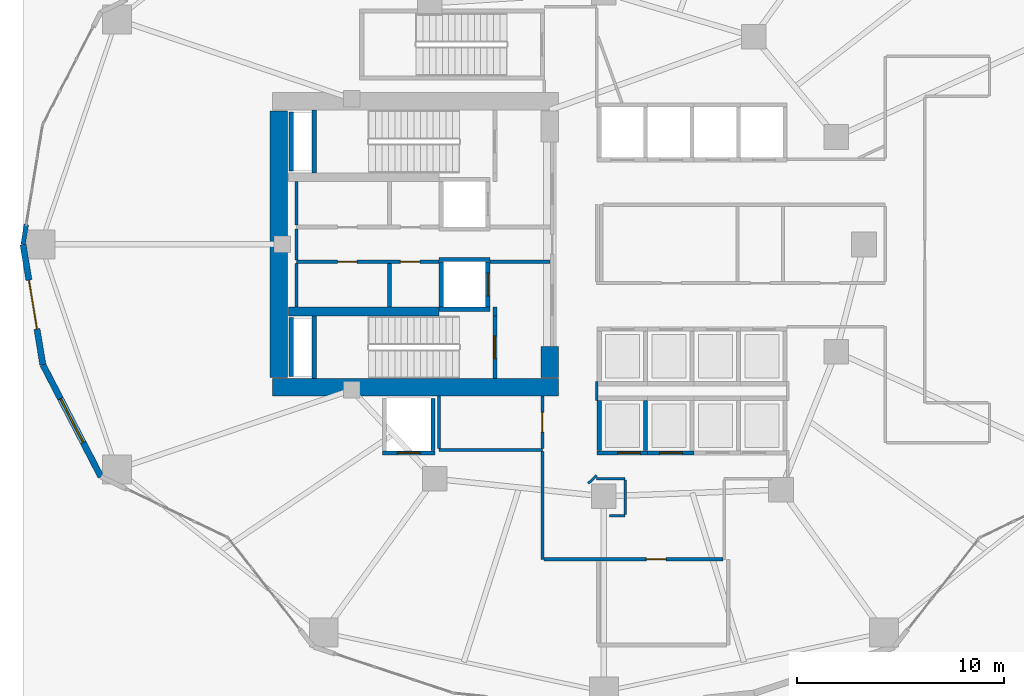
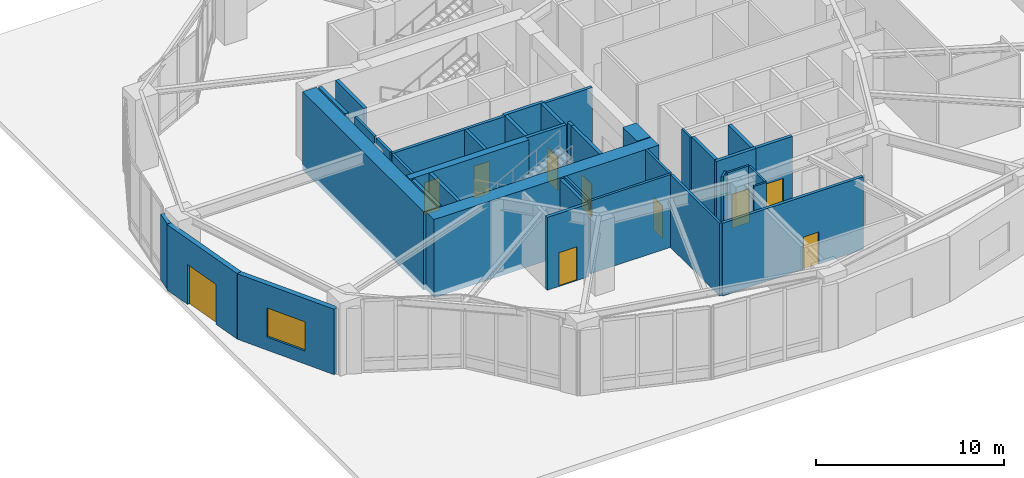
# One storey, part 11 of 23: 39 walls, 10 doors, 1 window, 11 openings.
"""IFC4 building model written with IfcOpenShell, lengths in metres."""

from ifc_helpers import new_model, si_unit, direction, frame, frame_2d, origin, place, context, subcontext, project, spatial, rectangle, extrude, material, layer, layer_set, type_object, element, fill, save


model = new_model("IFC4")

# Units and contexts
model_context = context("Model", 3, precision=1e-05, world=origin(), true_north=direction((0.0, 1.0)))
body_context = subcontext(model_context, "Body", "Model", "MODEL_VIEW")
ifc_project = project(units=[si_unit("LENGTHUNIT", "METRE"), si_unit("AREAUNIT", "SQUARE_METRE"), si_unit("VOLUMEUNIT", "CUBIC_METRE"), si_unit("PLANEANGLEUNIT", "RADIAN"), si_unit("MASSUNIT", "GRAM", prefix="KILO")], contexts=[model_context])

# Site, building, storey
site_placement = place(None, origin())
site = spatial("IfcSite", under=ifc_project, at=site_placement, CompositionType="ELEMENT")
building_placement = place(site_placement, origin())
building = spatial("IfcBuilding", under=site, at=building_placement, Name="Kolvaren Gate Tower and Convention Centre", CompositionType="ELEMENT")
storey_placement = place(building_placement, origin())
storey = spatial("IfcBuildingStorey", under=building, at=storey_placement, Name="L00", CompositionType="ELEMENT", Elevation=0.0)

# Wall
ifc_material_1 = material(Name="Autoclaved Aerated Masonry Blockwork Class 4 (4.0 MPa)", Category="masonry")
ifc_layer_1 = layer(ifc_material_1, 0.179931640625)
ifc_layer_set_1 = layer_set([ifc_layer_1], Name="Autoclaved Aerated Masonry Blockwork Class 4 (4.0 MPa)")
wall_type_1 = type_object("IfcWallType", Name="ARCH-WL-COMP-180", PredefinedType="SOLIDWALL", material=ifc_layer_set_1)
wall_1_placement = place(storey_placement, frame((24.85009765625, 23.5400390625, 0.0), z_axis=(0.0, 0.0, 1.0), x_axis=(0.0, 1.0, 0.0)))
element("IfcWall", 1, at=wall_1_placement, inside=storey, type_object=wall_type_1, Name="Interior Partition WL-L00-INT-001", PredefinedType="SOLIDWALL", context=body_context, shape_type="SweptSolid", body=[
    extrude(rectangle(XDim=0.419921875, YDim=0.179931640625, at=frame_2d((0.2099609375, 0.0))), origin(), (0.0, 0.0, 1.0), 4.739990234375),
])

# Wall, openings, doors
wall_2_placement = place(storey_placement, frame((15.25, 26.159912109375, 0.0), z_axis=(0.0, 0.0, 1.0), x_axis=(1.0, 0.0, 0.0)))
wall_2 = element("IfcWall", 2, at=wall_2_placement, inside=storey, type_object=wall_type_1, Name="Interior Partition WL-L00-INT-005", PredefinedType="SOLIDWALL", context=body_context, shape_type="SweptSolid", body=[
    extrude(rectangle(XDim=6.89990234375, YDim=0.179931640625, at=frame_2d((3.449951171875, 0.0))), origin(), (0.0, 0.0, 1.0), 4.739990234375),
])
opening_1_placement = place(wall_2_placement, frame((5.02001953125, 0.0, 0.0)))
opening_1 = element("IfcOpeningElement", 3, at=opening_1_placement, cuts=wall_2, Name="Opening DR-01", PredefinedType="OPENING", context=body_context, shape_type="SweptSolid", body=[
    extrude(rectangle(XDim=0.949951171875, YDim=2.10009765625, at=frame_2d((0.47509765625, 1.050048828125))), frame((0.0, 0.099853515625, 0.0), z_axis=(0.0, -1.0, 0.0), x_axis=(1.0, 0.0, 0.0)), (0.0, 0.0, 1.0), 0.199951171875),
])
opening_2_placement = place(wall_2_placement, frame((1.97998046875, 0.0, 0.0)))
opening_2 = element("IfcOpeningElement", 4, at=opening_2_placement, cuts=wall_2, Name="Opening DR-01", PredefinedType="OPENING", context=body_context, shape_type="SweptSolid", body=[
    extrude(rectangle(XDim=0.949951171875, YDim=2.10009765625, at=frame_2d((0.47509765625, 1.050048828125))), frame((0.0, 0.099853515625, 0.0), z_axis=(0.0, -1.0, 0.0), x_axis=(1.0, 0.0, 0.0)), (0.0, 0.0, 1.0), 0.199951171875),
])
ifc_material_2 = material(Name="Painted Architectural Steelwork ASTM A500 Grade C 345 MPa", Category="steel")
door_type_1 = type_object("IfcDoorType", Name="ARCH-DR-RISER-950", OperationType="SINGLE_SWING_RIGHT", PredefinedType="DOOR", material=ifc_material_2)
door_1_placement = place(opening_1_placement, origin())
door_1 = element("IfcDoor", 5, at=door_1_placement, inside=storey, type_object=door_type_1, Name="Domestic Water Meter Closet Door", OperationType="SINGLE_SWING_LEFT", OverallHeight=2.10009765625, OverallWidth=0.949951171875, PredefinedType="DOOR", context=body_context, shape_type="SweptSolid", body=[
    extrude(rectangle(XDim=0.949951171875, YDim=2.10009765625, at=frame_2d((0.47509765625, 1.050048828125))), frame((0.0, 0.02490234375, 0.0), z_axis=(0.0, -1.0, 0.0), x_axis=(1.0, 0.0, 0.0)), (0.0, 0.0, 1.0), 0.050048828125),
])
fill(opening_1, door_1)
door_2_placement = place(opening_2_placement, origin())
door_2 = element("IfcDoor", 6, at=door_2_placement, inside=storey, type_object=door_type_1, Name="Janitor Equipment Store Door", OperationType="SINGLE_SWING_LEFT", OverallHeight=2.10009765625, OverallWidth=0.949951171875, PredefinedType="DOOR", context=body_context, shape_type="SweptSolid", body=[
    extrude(rectangle(XDim=0.949951171875, YDim=2.10009765625, at=frame_2d((0.47509765625, 1.050048828125))), frame((0.0, 0.02490234375, 0.0), z_axis=(0.0, -1.0, 0.0), x_axis=(1.0, 0.0, 0.0)), (0.0, 0.0, 1.0), 0.050048828125),
])
fill(opening_2, door_2)

# Walls
wall_3_placement = place(storey_placement, frame((24.60009765625, 26.159912109375, 0.0), z_axis=(0.0, 0.0, 1.0), x_axis=(1.0, 0.0, 0.0)))
element("IfcWall", 7, at=wall_3_placement, inside=storey, type_object=wall_type_1, Name="Interior Partition WL-L00-INT-005 (2)", PredefinedType="SOLIDWALL", context=body_context, shape_type="SweptSolid", body=[
    extrude(rectangle(XDim=2.927978515625, YDim=0.179931640625, at=frame_2d((1.4638671875, 0.0))), origin(), (0.0, 0.0, 1.0), 4.739990234375),
])
wall_4_placement = place(storey_placement, frame((19.75, 23.9619140625, 0.0), z_axis=(0.0, 0.0, 1.0), x_axis=(0.0, 1.0, 0.0)))
element("IfcWall", 8, at=wall_4_placement, inside=storey, type_object=wall_type_1, Name="Interior Partition WL-L00-INT-007", PredefinedType="SOLIDWALL", context=body_context, shape_type="SweptSolid", body=[
    extrude(rectangle(XDim=2.106201171875, YDim=0.179931640625, at=frame_2d((1.05322265625, 0.0))), origin(), (0.0, 0.0, 1.0), 4.739990234375),
])

# Wall, opening, door
wall_5_placement = place(storey_placement, frame((27.22705078125, 11.75, 0.0), z_axis=(0.0, 0.0, 1.0), x_axis=(1.0, 0.0, 0.0)))
wall_5 = element("IfcWall", 9, at=wall_5_placement, inside=storey, type_object=wall_type_1, Name="Interior Partition WL-L00-INT-020", PredefinedType="SOLIDWALL", context=body_context, shape_type="SweptSolid", body=[
    extrude(rectangle(XDim=8.660888671875, YDim=0.179931640625, at=frame_2d((4.33056640625, 0.0))), origin(), (0.0, 0.0, 1.0), 4.739990234375),
])
opening_3_placement = place(wall_5_placement, frame((4.9619140625, 0.0, 0.0)))
opening_3 = element("IfcOpeningElement", 10, at=opening_3_placement, cuts=wall_5, Name="Opening DR-01", PredefinedType="OPENING", context=body_context, shape_type="SweptSolid", body=[
    extrude(rectangle(XDim=0.949951171875, YDim=2.10009765625, at=frame_2d((0.47509765625, 1.050048828125))), frame((0.0, 0.099853515625, 0.0), z_axis=(0.0, -1.0, 0.0), x_axis=(1.0, 0.0, 0.0)), (0.0, 0.0, 1.0), 0.199951171875),
])
door_3_placement = place(opening_3_placement, origin())
door_3 = element("IfcDoor", 11, at=door_3_placement, inside=storey, type_object=door_type_1, Name="Fire Command Centre Door", OperationType="SINGLE_SWING_LEFT", OverallHeight=2.10009765625, OverallWidth=0.949951171875, PredefinedType="DOOR", context=body_context, shape_type="SweptSolid", body=[
    extrude(rectangle(XDim=0.949951171875, YDim=2.10009765625, at=frame_2d((0.47509765625, 1.050048828125))), frame((0.0, 0.02490234375, 0.0), z_axis=(0.0, -1.0, 0.0), x_axis=(1.0, 0.0, 0.0)), (0.0, 0.0, 1.0), 0.050048828125),
])
fill(opening_3, door_3)

# Walls
ifc_material_3 = material(Name="Fire-Rated Acoustic Gypsum Stud Partition", Category="gypsum")
ifc_layer_2 = layer(ifc_material_3, 0.1201171875)
ifc_layer_set_2 = layer_set([ifc_layer_2], Name="Fire-Rated Acoustic Gypsum Stud Partition")
wall_type_2 = type_object("IfcWallType", Name="ARCH-WL-PART-120", PredefinedType="PARTITIONING", material=ifc_layer_set_2)
wall_6_placement = place(storey_placement, frame((29.780029296875, 15.64990234375, 0.0), z_axis=(0.0, 0.0, 1.0), x_axis=(1.0, 0.0, 0.0)))
element("IfcWall", 12, at=wall_6_placement, inside=storey, type_object=wall_type_2, Name="Interior Partition WL-L00-INT-017", PredefinedType="PARTITIONING", context=body_context, shape_type="SweptSolid", body=[
    extrude(rectangle(XDim=1.369873046875, YDim=0.1201171875, at=frame_2d((0.68505859375, 0.0))), origin(), (0.0, 0.0, 1.0), 4.739990234375),
])
wall_7_placement = place(storey_placement, frame((29.780029296875, 19.43994140625, 0.0), z_axis=(0.0, 0.0, 1.0), x_axis=(0.0, 1.0, 0.0)))
element("IfcWall", 13, at=wall_7_placement, inside=storey, type_object=wall_type_2, Name="Interior Partition WL-L00-INT-023", PredefinedType="PARTITIONING", context=body_context, shape_type="SweptSolid", body=[
    extrude(rectangle(XDim=0.920166015625, YDim=0.1201171875, at=frame_2d((0.4599609375, 0.0))), origin(), (0.0, 0.0, 1.0), 4.739990234375),
])
wall_8_placement = place(storey_placement, frame((29.366943359375, 15.422119140625, 0.0), z_axis=(0.0, 0.0, 1.0), x_axis=(0.730667420492, 0.682733564893, 0.0)))
element("IfcWall", 14, at=wall_8_placement, inside=storey, type_object=wall_type_2, Name="Interior Partition WL-L00-INT-040", PredefinedType="PARTITIONING", context=body_context, shape_type="SweptSolid", body=[
    extrude(rectangle(XDim=0.5654296875, YDim=0.1201171875, at=frame_2d((0.28271484375, 0.0))), origin(), (0.0, 0.0, 1.0), 4.739990234375),
])
wall_9_placement = place(storey_placement, frame((30.39111328125, 13.85009765625, 0.0), z_axis=(0.0, 0.0, 1.0), x_axis=(1.0, 0.0, 0.0)))
element("IfcWall", 15, at=wall_9_placement, inside=storey, type_object=wall_type_2, Name="Interior Partition WL-L00-INT-041", PredefinedType="PARTITIONING", context=body_context, shape_type="SweptSolid", body=[
    extrude(rectangle(XDim=0.7587890625, YDim=0.1201171875, at=frame_2d((0.37939453125, 0.0))), origin(), (0.0, 0.0, 1.0), 4.739990234375),
])
wall_10_placement = place(storey_placement, frame((31.14990234375, 13.912109375, 0.0), z_axis=(0.0, 0.0, 1.0), x_axis=(0.0, 1.0, 0.0)))
element("IfcWall", 16, at=wall_10_placement, inside=storey, type_object=wall_type_2, Name="Interior Partition WL-L00-INT-042", PredefinedType="PARTITIONING", context=body_context, shape_type="SweptSolid", body=[
    extrude(rectangle(XDim=1.67578125, YDim=0.1201171875, at=frame_2d((0.837890625, 0.0))), origin(), (0.0, 0.0, 1.0), 4.739990234375),
])
ifc_material_4 = material(Name="Bogota Sabana Bush-Hammered Sandstone Cladding", Category="masonry")
ifc_layer_3 = layer(ifc_material_4, 0.219970703125)
ifc_layer_set_3 = layer_set([ifc_layer_3], Name="Bogota Sabana Bush-Hammered Sandstone Cladding")
wall_type_3 = type_object("IfcWallType", Name="ARCH-WL-PIER-220", PredefinedType="SOLIDWALL", material=ifc_layer_set_3)
wall_11_placement = place(storey_placement, frame((2.0, 27.0, 0.0), z_axis=(0.0, 0.0, 1.0), x_axis=(0.162253212939, 0.986749154999, 0.0)))
element("IfcWall", 17, at=wall_11_placement, inside=storey, type_object=wall_type_3, Name="Tower L00 Unitised Curtain Wall CW-POD-GLZ Bay 11 Left Column Pier Wrap", PredefinedType="SOLIDWALL", context=body_context, shape_type="SweptSolid", body=[
    extrude(rectangle(XDim=0.97802734375, YDim=0.219970703125, at=frame_2d((0.489013671875, 0.0))), origin(), (0.0, 0.0, 1.0), 4.262939453125),
])
ifc_layer_4 = layer(ifc_material_1, 0.199951171875)
ifc_layer_set_4 = layer_set([ifc_layer_4], Name="Autoclaved Aerated Masonry Blockwork Class 4 (4.0 MPa)")
wall_type_4 = type_object("IfcWallType", Name="ARCH-WL-SHAFT-200", PredefinedType="SOLIDWALL", material=ifc_layer_set_4)
for number, where, z_axis, x_axis, name in (
    (18, (22.14990234375, 26.260009765625, 0.0), (0.0, 0.0, 1.0), (1.0, 0.0, 0.0), "Elevator FF-02 L00 Fire Shaft Wall N"),
    (19, (22.14990234375, 23.860107421875, 0.0), (0.0, 0.0, 1.0), (1.0, 0.0, 0.0), "Elevator FF-02 L00 Fire Shaft Wall S"),
):
    element("IfcWall", number, at=place(storey_placement, frame(where, z_axis=z_axis, x_axis=x_axis)), inside=storey, type_object=wall_type_4, Name=name, PredefinedType="SOLIDWALL", context=body_context, shape_type="SweptSolid", body=[
        extrude(rectangle(XDim=2.4501953125, YDim=0.199951171875, at=frame_2d((1.22509765625, 0.0))), origin(), (0.0, 0.0, 1.0), 4.739990234375),
    ])
wall_12_placement = place(storey_placement, frame((22.25, 23.969970703125, 0.0), z_axis=(0.0, 0.0, 1.0), x_axis=(0.0, 1.0, 0.0)))
element("IfcWall", 20, at=wall_12_placement, inside=storey, type_object=wall_type_4, Name="Elevator FF-02 L00 Fire Shaft Wall W", PredefinedType="SOLIDWALL", context=body_context, shape_type="SweptSolid", body=[
    extrude(rectangle(XDim=2.179931640625, YDim=0.199951171875, at=frame_2d((1.08984375, 0.0))), origin(), (0.0, 0.0, 1.0), 4.739990234375),
])

# Wall, opening, door
wall_13_placement = place(storey_placement, frame((24.5, 23.969970703125, 0.0), z_axis=(0.0, 0.0, 1.0), x_axis=(0.0, 1.0, 0.0)))
wall_13 = element("IfcWall", 21, at=wall_13_placement, inside=storey, type_object=wall_type_4, Name="Elevator FF-02 L00 Fire Shaft Wall E", PredefinedType="SOLIDWALL", context=body_context, shape_type="SweptSolid", body=[
    extrude(rectangle(XDim=2.179931640625, YDim=0.199951171875, at=frame_2d((1.08984375, 0.0))), origin(), (0.0, 0.0, 1.0), 4.739990234375),
])
opening_4_placement = place(wall_13_placement, frame((0.5400390625, 0.0, 0.0)))
opening_4 = element("IfcOpeningElement", 22, at=opening_4_placement, cuts=wall_13, Name="Opening LD", PredefinedType="OPENING", context=body_context, shape_type="SweptSolid", body=[
    extrude(rectangle(XDim=1.10009765625, YDim=2.199951171875, at=frame_2d((0.550048828125, 1.10009765625))), frame((0.0, 0.10986328125, 0.0), z_axis=(0.0, -1.0, 0.0), x_axis=(1.0, 0.0, 0.0)), (0.0, 0.0, 1.0), 0.219970703125),
])
ifc_material_5 = material(Name="Brushed Stainless Steel Grade 316L", Category="steel")
door_type_2 = type_object("IfcDoorType", Name="ARCH-DR-LIFT-1100", OperationType="SLIDING_TO_LEFT", PredefinedType="DOOR", material=ifc_material_5)
door_4_placement = place(opening_4_placement, origin())
door_4 = element("IfcDoor", 23, at=door_4_placement, inside=storey, type_object=door_type_2, Name="Elevator FF-02 L00 Sliding Landing Door", OperationType="SLIDING_TO_LEFT", OverallHeight=2.199951171875, OverallWidth=1.10009765625, PredefinedType="DOOR", context=body_context, shape_type="SweptSolid", body=[
    extrude(rectangle(XDim=1.10009765625, YDim=2.199951171875, at=frame_2d((0.550048828125, 1.10009765625))), frame((0.0, 0.02490234375, 0.0), z_axis=(0.0, -1.0, 0.0), x_axis=(1.0, 0.0, 0.0)), (0.0, 0.0, 1.0), 0.050048828125),
])
fill(opening_4, door_4)

wall_14_placement = place(storey_placement, frame((19.39990234375, 16.89990234375, 0.0), z_axis=(0.0, 0.0, 1.0), x_axis=(1.0, 0.0, 0.0)))
wall_14 = element("IfcWall", 24, at=wall_14_placement, inside=storey, type_object=wall_type_4, Name="Elevator SV-01 L00 Fire Shaft Wall S", PredefinedType="SOLIDWALL", context=body_context, shape_type="SweptSolid", body=[
    extrude(rectangle(XDim=2.550048828125, YDim=0.199951171875, at=frame_2d((1.27490234375, 0.0))), origin(), (0.0, 0.0, 1.0), 4.739990234375),
])
opening_5_placement = place(wall_14_placement, frame((0.72509765625, 0.0, 0.0)))
opening_5 = element("IfcOpeningElement", 25, at=opening_5_placement, cuts=wall_14, Name="Opening LD", PredefinedType="OPENING", context=body_context, shape_type="SweptSolid", body=[
    extrude(rectangle(XDim=1.10009765625, YDim=2.199951171875, at=frame_2d((0.550048828125, 1.10009765625))), frame((0.0, 0.10986328125, 0.0), z_axis=(0.0, -1.0, 0.0), x_axis=(1.0, 0.0, 0.0)), (0.0, 0.0, 1.0), 0.219970703125),
])
door_5_placement = place(opening_5_placement, origin())
door_5 = element("IfcDoor", 26, at=door_5_placement, inside=storey, type_object=door_type_2, Name="Elevator SV-01 L00 Sliding Landing Door", OperationType="SLIDING_TO_LEFT", OverallHeight=2.199951171875, OverallWidth=1.10009765625, PredefinedType="DOOR", context=body_context, shape_type="SweptSolid", body=[
    extrude(rectangle(XDim=1.10009765625, YDim=2.199951171875, at=frame_2d((0.550048828125, 1.10009765625))), frame((0.0, 0.02490234375, 0.0), z_axis=(0.0, -1.0, 0.0), x_axis=(1.0, 0.0, 0.0)), (0.0, 0.0, 1.0), 0.050048828125),
])
fill(opening_5, door_5)

# Wall
wall_15_placement = place(storey_placement, frame((21.85009765625, 17.010009765625, 0.0), z_axis=(0.0, 0.0, 1.0), x_axis=(0.0, 1.0, 0.0)))
element("IfcWall", 27, at=wall_15_placement, inside=storey, type_object=wall_type_4, Name="Elevator SV-01 L00 Fire Shaft Wall E", PredefinedType="SOLIDWALL", context=body_context, shape_type="SweptSolid", body=[
    extrude(rectangle(XDim=2.530029296875, YDim=0.199951171875, at=frame_2d((1.26513671875, 0.0))), origin(), (0.0, 0.0, 1.0), 4.739990234375),
])

# Wall, opening, door
wall_16_placement = place(storey_placement, frame((29.800048828125, 16.89990234375, 0.0), z_axis=(0.0, 0.0, 1.0), x_axis=(1.0, 0.0, 0.0)))
wall_16 = element("IfcWall", 28, at=wall_16_placement, inside=storey, type_object=wall_type_4, Name="Elevator PL-05 L00 Fire Shaft Wall S", PredefinedType="SOLIDWALL", context=body_context, shape_type="SweptSolid", body=[
    extrude(rectangle(XDim=2.449951171875, YDim=0.199951171875, at=frame_2d((1.22509765625, 0.0))), origin(), (0.0, 0.0, 1.0), 4.739990234375),
])
opening_6_placement = place(wall_16_placement, frame((0.9951171875, 0.0, 0.0)))
opening_6 = element("IfcOpeningElement", 29, at=opening_6_placement, cuts=wall_16, Name="Opening LD", PredefinedType="OPENING", context=body_context, shape_type="SweptSolid", body=[
    extrude(rectangle(XDim=1.10009765625, YDim=2.199951171875, at=frame_2d((0.550048828125, 1.10009765625))), frame((0.0, 0.10986328125, 0.0), z_axis=(0.0, -1.0, 0.0), x_axis=(1.0, 0.0, 0.0)), (0.0, 0.0, 1.0), 0.219970703125),
])
door_6_placement = place(opening_6_placement, origin())
door_6 = element("IfcDoor", 30, at=door_6_placement, inside=storey, type_object=door_type_2, Name="Elevator PL-05 L00 Sliding Landing Door", OperationType="SLIDING_TO_LEFT", OverallHeight=2.199951171875, OverallWidth=1.10009765625, PredefinedType="DOOR", context=body_context, shape_type="SweptSolid", body=[
    extrude(rectangle(XDim=1.10009765625, YDim=2.199951171875, at=frame_2d((0.550048828125, 1.10009765625))), frame((0.0, 0.02490234375, 0.0), z_axis=(0.0, -1.0, 0.0), x_axis=(1.0, 0.0, 0.0)), (0.0, 0.0, 1.0), 0.050048828125),
])
fill(opening_6, door_6)

# Walls
for number, where, z_axis, x_axis, name in (
    (31, (29.89990234375, 17.010009765625, 0.0), (0.0, 0.0, 1.0), (0.0, 1.0, 0.0), "Elevator PL-05 L00 Fire Shaft Wall W"),
    (32, (32.14990234375, 17.010009765625, 0.0), (0.0, 0.0, 1.0), (0.0, 1.0, 0.0), "Elevator PL-05 L00 Fire Shaft Wall E"),
):
    element("IfcWall", number, at=place(storey_placement, frame(where, z_axis=z_axis, x_axis=x_axis)), inside=storey, type_object=wall_type_4, Name=name, PredefinedType="SOLIDWALL", context=body_context, shape_type="SweptSolid", body=[
        extrude(rectangle(XDim=2.429931640625, YDim=0.199951171875, at=frame_2d((1.21484375, 0.0))), origin(), (0.0, 0.0, 1.0), 4.739990234375),
    ])

# Wall, opening, door
wall_17_placement = place(storey_placement, frame((32.25, 16.89990234375, 0.0), z_axis=(0.0, 0.0, 1.0), x_axis=(1.0, 0.0, 0.0)))
wall_17 = element("IfcWall", 33, at=wall_17_placement, inside=storey, type_object=wall_type_4, Name="Elevator PL-06 L00 Fire Shaft Wall S", PredefinedType="SOLIDWALL", context=body_context, shape_type="SweptSolid", body=[
    extrude(rectangle(XDim=2.25, YDim=0.199951171875, at=frame_2d((1.125, 0.0))), origin(), (0.0, 0.0, 1.0), 4.739990234375),
])
opening_7_placement = place(wall_17_placement, frame((0.574951171875, 0.0, 0.0)))
opening_7 = element("IfcOpeningElement", 34, at=opening_7_placement, cuts=wall_17, Name="Opening LD", PredefinedType="OPENING", context=body_context, shape_type="SweptSolid", body=[
    extrude(rectangle(XDim=1.10009765625, YDim=2.199951171875, at=frame_2d((0.550048828125, 1.10009765625))), frame((0.0, 0.10986328125, 0.0), z_axis=(0.0, -1.0, 0.0), x_axis=(1.0, 0.0, 0.0)), (0.0, 0.0, 1.0), 0.219970703125),
])
door_7_placement = place(opening_7_placement, origin())
door_7 = element("IfcDoor", 35, at=door_7_placement, inside=storey, type_object=door_type_2, Name="Elevator PL-06 L00 Sliding Landing Door", OperationType="SLIDING_TO_LEFT", OverallHeight=2.199951171875, OverallWidth=1.10009765625, PredefinedType="DOOR", context=body_context, shape_type="SweptSolid", body=[
    extrude(rectangle(XDim=1.10009765625, YDim=2.199951171875, at=frame_2d((0.550048828125, 1.10009765625))), frame((0.0, 0.02490234375, 0.0), z_axis=(0.0, -1.0, 0.0), x_axis=(1.0, 0.0, 0.0)), (0.0, 0.0, 1.0), 0.050048828125),
])
fill(opening_7, door_7)

# Walls
for number, where, z_axis, x_axis, name in (
    (36, (14.989990234375, 30.550048828125, 0.0), (0.0, 0.0, 1.0), (0.0, 1.0, 0.0), "Vertical Shaft HVR L00 EI-120 Enclosure Wall W"),
    (37, (14.989990234375, 20.60009765625, 0.0), (0.0, 0.0, 1.0), (0.0, 1.0, 0.0), "Vertical Shaft MPR L00 EI-120 Enclosure Wall W"),
):
    element("IfcWall", number, at=place(storey_placement, frame(where, z_axis=z_axis, x_axis=x_axis)), inside=storey, type_object=wall_type_4, Name=name, PredefinedType="SOLIDWALL", context=body_context, shape_type="SweptSolid", body=[
        extrude(rectangle(XDim=2.849853515625, YDim=0.199951171875, at=frame_2d((1.4248046875, 0.0))), origin(), (0.0, 0.0, 1.0), 4.739990234375),
    ])

# Wall, opening, door
ifc_material_6 = material(Name="Piedmont Cream Honed Limestone Cladding", Category="masonry")
ifc_layer_5 = layer(ifc_material_6, 0.300048828125)
ifc_layer_set_5 = layer_set([ifc_layer_5], Name="Piedmont Cream Honed Limestone Cladding")
wall_type_5 = type_object("IfcWallType", Name="ARCH-WL-STONE-300", PredefinedType="SOLIDWALL", material=ifc_layer_set_5)
wall_18_placement = place(storey_placement, frame((2.0, 27.0, 0.0), z_axis=(0.0, 0.0, 1.0), x_axis=(0.162366057843, -0.98673059305, 0.0)))
wall_18 = element("IfcWall", 38, at=wall_18_placement, inside=storey, type_object=wall_type_5, Name="Tower L00 Honed Stone Spandrel Wall EW-12", PredefinedType="SOLIDWALL", context=body_context, shape_type="SweptSolid", body=[
    extrude(rectangle(XDim=5.90185546875, YDim=0.300048828125, at=frame_2d((2.950927734375, 0.0))), origin(), (0.0, 0.0, 1.0), 4.262939453125),
])
opening_8_placement = place(wall_18_placement, frame((1.7509765625, 0.0, 0.0)))
opening_8 = element("IfcOpeningElement", 39, at=opening_8_placement, cuts=wall_18, Name="Opening DE-01", PredefinedType="OPENING", context=body_context, shape_type="SweptSolid", body=[
    extrude(rectangle(XDim=2.39990234375, YDim=2.60009765625, at=frame_2d((1.199951171875, 1.300048828125))), frame((0.0, 0.159912109375, 0.0), z_axis=(0.0, -1.0, 0.0), x_axis=(1.0, 0.0, 0.0)), (0.0, 0.0, 1.0), 0.320068359375),
])
ifc_material_7 = material(Name="Anodized Architectural Aluminium Alloy 6063-T6", Category="aluminium")
door_type_3 = type_object("IfcDoorType", Name="ARCH-DR-ENT-2400", OperationType="DOUBLE_DOOR_SINGLE_SWING", PredefinedType="DOOR", material=ifc_material_7)
door_8_placement = place(opening_8_placement, frame((2.39990234375, 0.0, 0.0), z_axis=(0.0, 0.0, 1.0), x_axis=(-1.0, 0.0, 0.0)))
door_8 = element("IfcDoor", 40, at=door_8_placement, inside=storey, type_object=door_type_3, Name="Tower Ground Entrance Portal Door DE-12", OperationType="DOUBLE_DOOR_SINGLE_SWING", OverallHeight=2.60009765625, OverallWidth=2.39990234375, PredefinedType="DOOR", context=body_context, shape_type="SweptSolid", body=[
    extrude(rectangle(XDim=2.39990234375, YDim=2.60009765625, at=frame_2d((1.199951171875, 1.300048828125))), frame((0.0, 0.02490234375, 0.0), z_axis=(0.0, -1.0, 0.0), x_axis=(1.0, 0.0, 0.0)), (0.0, 0.0, 1.0), 0.050048828125),
])
fill(opening_8, door_8)

# Wall, opening, window
wall_19_placement = place(storey_placement, frame((2.958251953125, 21.176513671875, 0.0), z_axis=(0.0, 0.0, 1.0), x_axis=(0.459809804413, -0.88801742312, 0.0)))
wall_19 = element("IfcWall", 41, at=wall_19_placement, inside=storey, type_object=wall_type_5, Name="Tower L00 Honed Stone Spandrel Wall EW-13", PredefinedType="SOLIDWALL", context=body_context, shape_type="SweptSolid", body=[
    extrude(rectangle(XDim=6.11083984375, YDim=0.300048828125, at=frame_2d((3.055419921875, 0.0))), origin(), (0.0, 0.0, 1.0), 4.262939453125),
])
opening_9_placement = place(wall_19_placement, frame((1.85498046875, 0.0, 0.85009765625)))
opening_9 = element("IfcOpeningElement", 42, at=opening_9_placement, cuts=wall_19, Name="Opening W-01", PredefinedType="OPENING", context=body_context, shape_type="SweptSolid", body=[
    extrude(rectangle(XDim=2.39990234375, YDim=1.89990234375, at=frame_2d((1.199951171875, 0.949951171875))), frame((0.0, 0.159912109375, 0.0), z_axis=(0.0, -1.0, 0.0), x_axis=(1.0, 0.0, 0.0)), (0.0, 0.0, 1.0), 0.320068359375),
])
ifc_material_8 = material(Name="Low-E Triple Insulated Glazing Unit 44 mm", Category="glass")
window_type = type_object("IfcWindowType", Name="ARCH-WN-OFF-2400", PartitioningType="SINGLE_PANEL", PredefinedType="WINDOW", material=ifc_material_8)
window_placement = place(opening_9_placement, origin())
window = element("IfcWindow", 43, at=window_placement, inside=storey, type_object=window_type, Name="Tower L00 Punched Stone Facade Window W-13", OverallHeight=1.89990234375, OverallWidth=2.39990234375, PartitioningType="SINGLE_PANEL", PredefinedType="WINDOW", context=body_context, shape_type="SweptSolid", body=[
    extrude(rectangle(XDim=2.39990234375, YDim=1.89990234375, at=frame_2d((1.199951171875, 0.949951171875))), frame((0.0, 0.030029296875, 0.0), z_axis=(0.0, -1.0, 0.0), x_axis=(1.0, 0.0, 0.0)), (0.0, 0.0, 1.0), 0.06005859375),
])
fill(opening_9, window)

# Walls
ifc_material_9 = material(Name="Moisture-Resistant Cement-Board Acoustic Partition", Category="gypsum")
ifc_layer_6 = layer(ifc_material_9, 0.14990234375)
ifc_layer_set_6 = layer_set([ifc_layer_6], Name="Moisture-Resistant Cement-Board Acoustic Partition")
wall_type_6 = type_object("IfcWallType", Name="ARCH-WL-WET-150", PredefinedType="PARTITIONING", material=ifc_layer_set_6)
wall_20_placement = place(storey_placement, frame((15.25, 23.9619140625, 0.0), z_axis=(0.0, 0.0, 1.0), x_axis=(0.0, 1.0, 0.0)))
element("IfcWall", 44, at=wall_20_placement, inside=storey, type_object=wall_type_6, Name="Interior Partition WL-L00-INT-006", PredefinedType="PARTITIONING", context=body_context, shape_type="SweptSolid", body=[
    extrude(rectangle(XDim=2.106201171875, YDim=0.14990234375, at=frame_2d((1.05322265625, 0.0))), origin(), (0.0, 0.0, 1.0), 4.739990234375),
])
wall_21_placement = place(storey_placement, frame((15.25, 26.251953125, 0.0), z_axis=(0.0, 0.0, 1.0), x_axis=(0.0, 1.0, 0.0)))
element("IfcWall", 45, at=wall_21_placement, inside=storey, type_object=wall_type_6, Name="Interior Partition WL-L00-INT-006 (2)", PredefinedType="PARTITIONING", context=body_context, shape_type="SweptSolid", body=[
    extrude(rectangle(XDim=1.49609375, YDim=0.14990234375, at=frame_2d((0.748046875, 0.0))), origin(), (0.0, 0.0, 1.0), 4.739990234375),
])
wall_22_placement = place(storey_placement, frame((15.25, 27.931884765625, 0.0), z_axis=(0.0, 0.0, 1.0), x_axis=(0.0, 1.0, 0.0)))
element("IfcWall", 46, at=wall_22_placement, inside=storey, type_object=wall_type_6, Name="Interior Partition WL-L00-INT-006 (3)", PredefinedType="PARTITIONING", context=body_context, shape_type="SweptSolid", body=[
    extrude(rectangle(XDim=2.106201171875, YDim=0.14990234375, at=frame_2d((1.05322265625, 0.0))), origin(), (0.0, 0.0, 1.0), 4.739990234375),
])
wall_23_placement = place(storey_placement, frame((22.14990234375, 17.050048828125, 0.0), z_axis=(0.0, 0.0, 1.0), x_axis=(1.0, 0.0, 0.0)))
element("IfcWall", 47, at=wall_23_placement, inside=storey, type_object=wall_type_6, Name="Interior Partition WL-L00-INT-009", PredefinedType="PARTITIONING", context=body_context, shape_type="SweptSolid", body=[
    extrude(rectangle(XDim=5.0, YDim=0.14990234375, at=frame_2d((2.5, 0.0))), origin(), (0.0, 0.0, 1.0), 4.739990234375),
])
wall_24_placement = place(storey_placement, frame((22.14990234375, 17.126953125, 0.0), z_axis=(0.0, 0.0, 1.0), x_axis=(0.0, 1.0, 0.0)))
element("IfcWall", 48, at=wall_24_placement, inside=storey, type_object=wall_type_6, Name="Interior Partition WL-L00-INT-010", PredefinedType="PARTITIONING", context=body_context, shape_type="SweptSolid", body=[
    extrude(rectangle(XDim=2.52099609375, YDim=0.14990234375, at=frame_2d((1.260498046875, 0.0))), origin(), (0.0, 0.0, 1.0), 4.739990234375),
])
wall_25_placement = place(storey_placement, frame((27.14990234375, 11.75, 0.0), z_axis=(0.0, 0.0, 1.0), x_axis=(0.0, 1.0, 0.0)))
element("IfcWall", 49, at=wall_25_placement, inside=storey, type_object=wall_type_6, Name="Interior Partition WL-L00-INT-011", PredefinedType="PARTITIONING", context=body_context, shape_type="SweptSolid", body=[
    extrude(rectangle(XDim=5.222900390625, YDim=0.14990234375, at=frame_2d((2.611328125, 0.0))), origin(), (0.0, 0.0, 1.0), 4.739990234375),
])

# Wall, opening, door
wall_26_placement = place(storey_placement, frame((27.14990234375, 17.126953125, 0.0), z_axis=(0.0, 0.0, 1.0), x_axis=(0.0, 1.0, 0.0)))
wall_26 = element("IfcWall", 50, at=wall_26_placement, inside=storey, type_object=wall_type_6, Name="Interior Partition WL-L00-INT-011 (2)", PredefinedType="PARTITIONING", context=body_context, shape_type="SweptSolid", body=[
    extrude(rectangle(XDim=2.52099609375, YDim=0.14990234375, at=frame_2d((1.260498046875, 0.0))), origin(), (0.0, 0.0, 1.0), 4.739990234375),
])
opening_10_placement = place(wall_26_placement, frame((0.785400390625, 0.0, 0.0)))
opening_10 = element("IfcOpeningElement", 51, at=opening_10_placement, cuts=wall_26, Name="Opening DR-01", PredefinedType="OPENING", context=body_context, shape_type="SweptSolid", body=[
    extrude(rectangle(XDim=0.949951171875, YDim=2.10009765625, at=frame_2d((0.47509765625, 1.050048828125))), frame((0.0, 0.0849609375, 0.0), z_axis=(0.0, -1.0, 0.0), x_axis=(1.0, 0.0, 0.0)), (0.0, 0.0, 1.0), 0.169921875),
])
door_9_placement = place(opening_10_placement, origin())
door_9 = element("IfcDoor", 52, at=door_9_placement, inside=storey, type_object=door_type_1, Name="West Linen and Supply Store Door", OperationType="SINGLE_SWING_RIGHT", OverallHeight=2.10009765625, OverallWidth=0.949951171875, PredefinedType="DOOR", context=body_context, shape_type="SweptSolid", body=[
    extrude(rectangle(XDim=0.949951171875, YDim=2.10009765625, at=frame_2d((0.47509765625, 1.050048828125))), frame((0.0, 0.02490234375, 0.0), z_axis=(0.0, -1.0, 0.0), x_axis=(1.0, 0.0, 0.0)), (0.0, 0.0, 1.0), 0.050048828125),
])
fill(opening_10, door_9)

# Walls
ifc_material_10 = material(Name="Concrete C50/60", Category="concrete")
ifc_layer_7 = layer(ifc_material_10, 0.419921875)
ifc_layer_set_7 = layer_set([ifc_layer_7], Name="Concrete C50/60")
wall_type_7 = type_object("IfcWallType", Name="STR-WL-CONV-420", PredefinedType="SHEAR", material=ifc_layer_set_7)
wall_27_placement = place(storey_placement, frame((14.85009765625, 23.75, -0.360107421875), z_axis=(0.0, 0.0, 1.0), x_axis=(1.0, 0.0, 0.0)))
element("IfcWall", 53, at=wall_27_placement, inside=storey, type_object=wall_type_7, Name="Tower L00 Offset Core Shear Wall WS", PredefinedType="SHEAR", context=body_context, shape_type="SweptSolid", body=[
    extrude(rectangle(XDim=7.2998046875, YDim=0.419921875, at=frame_2d((3.64990234375, 0.0))), origin(), (0.0, 0.0, 1.0), 5.10009765625),
])
ifc_material_11 = material(Name="Concrete C70/85", Category="concrete")
ifc_layer_8 = layer(ifc_material_11, 0.85009765625)
ifc_layer_set_8 = layer_set([ifc_layer_8], Name="Concrete C70/85")
wall_type_8 = type_object("IfcWallType", Name="STR-WL-CORE-850", PredefinedType="SHEAR", material=ifc_layer_set_8)
wall_28_placement = place(storey_placement, frame((14.074951171875, 20.074951171875, -0.360107421875), z_axis=(0.0, 0.0, 1.0), x_axis=(1.0, 0.0, 0.0)))
element("IfcWall", 54, at=wall_28_placement, inside=storey, type_object=wall_type_8, Name="Tower L00 Offset Core Shear Wall S", PredefinedType="SHEAR", context=body_context, shape_type="SweptSolid", body=[
    extrude(rectangle(XDim=13.85009765625, YDim=0.85009765625, at=frame_2d((6.925048828125, 0.0))), origin(), (0.0, 0.0, 1.0), 5.10009765625),
])
wall_29_placement = place(storey_placement, frame((14.375, 20.550048828125, -0.360107421875), z_axis=(0.0, 0.0, 1.0), x_axis=(0.0, 1.0, 0.0)))
element("IfcWall", 55, at=wall_29_placement, inside=storey, type_object=wall_type_8, Name="Tower L00 Offset Core Shear Wall W", PredefinedType="SHEAR", context=body_context, shape_type="SweptSolid", body=[
    extrude(rectangle(XDim=12.89990234375, YDim=0.85009765625, at=frame_2d((6.449951171875, 0.0))), origin(), (0.0, 0.0, 1.0), 5.10009765625),
])
wall_30_placement = place(storey_placement, frame((27.5, 20.550048828125, -0.360107421875), z_axis=(0.0, 0.0, 1.0), x_axis=(0.0, 1.0, 0.0)))
element("IfcWall", 56, at=wall_30_placement, inside=storey, type_object=wall_type_8, Name="Tower L00 Offset Core Shear Wall ES", PredefinedType="SHEAR", context=body_context, shape_type="SweptSolid", body=[
    extrude(rectangle(XDim=1.5, YDim=0.85009765625, at=frame_2d((0.75, 0.0))), origin(), (0.0, 0.0, 1.0), 5.10009765625),
])
ifc_layer_9 = layer(ifc_material_10, 0.199951171875)
ifc_layer_set_9 = layer_set([ifc_layer_9], Name="Concrete C50/60")
wall_type_9 = type_object("IfcWallType", Name="STR-WL-SHAFT-200", PredefinedType="SHEAR", material=ifc_layer_set_9)
wall_31_placement = place(storey_placement, frame((16.10009765625, 30.4619140625, -0.360107421875), z_axis=(0.0, 0.0, 1.0), x_axis=(0.0, 1.0, 0.0)))
element("IfcWall", 57, at=wall_31_placement, inside=storey, type_object=wall_type_9, Name="Tower North Exit Stair ST-T1 L00 Structural Shear Enclosure Wall FAR", PredefinedType="SHEAR", context=body_context, shape_type="SweptSolid", body=[
    extrude(rectangle(XDim=3.0361328125, YDim=0.199951171875, at=frame_2d((1.51806640625, 0.0))), origin(), (0.0, 0.0, 1.0), 5.10009765625),
])

# Wall, opening, door
wall_32_placement = place(storey_placement, frame((24.85009765625, 20.501953125, -0.360107421875), z_axis=(0.0, 0.0, 1.0), x_axis=(0.0, 1.0, 0.0)))
wall_32 = element("IfcWall", 58, at=wall_32_placement, inside=storey, type_object=wall_type_9, Name="Tower South Exit Stair ST-T2 L00 Structural Shear Enclosure Wall NEAR", PredefinedType="SHEAR", context=body_context, shape_type="SweptSolid", body=[
    extrude(rectangle(XDim=3.0380859375, YDim=0.199951171875, at=frame_2d((1.51904296875, 0.0))), origin(), (0.0, 0.0, 1.0), 5.10009765625),
])
opening_11_placement = place(wall_32_placement, frame((0.968994140625, 0.0, 0.360107421875)))
opening_11 = element("IfcOpeningElement", 59, at=opening_11_placement, cuts=wall_32, Name="Opening DS-01", PredefinedType="OPENING", context=body_context, shape_type="SweptSolid", body=[
    extrude(rectangle(XDim=1.10009765625, YDim=2.14990234375, at=frame_2d((0.550048828125, 1.074951171875))), frame((0.0, 0.10986328125, 0.0), z_axis=(0.0, -1.0, 0.0), x_axis=(1.0, 0.0, 0.0)), (0.0, 0.0, 1.0), 0.219970703125),
])
door_type_4 = type_object("IfcDoorType", Name="ARCH-DR-STAIR-1100", OperationType="SINGLE_SWING_LEFT", PredefinedType="DOOR", material=ifc_material_2)
door_10_placement = place(opening_11_placement, origin())
door_10 = element("IfcDoor", 60, at=door_10_placement, inside=storey, type_object=door_type_4, Name="Tower South Exit Stair ST-T2 L00 Fire Exit Stair Door", OperationType="SINGLE_SWING_RIGHT", OverallHeight=2.14990234375, OverallWidth=1.10009765625, PredefinedType="DOOR", context=body_context, shape_type="SweptSolid", body=[
    extrude(rectangle(XDim=1.10009765625, YDim=2.14990234375, at=frame_2d((0.550048828125, 1.074951171875))), frame((0.0, 0.02490234375, 0.0), z_axis=(0.0, -1.0, 0.0), x_axis=(1.0, 0.0, 0.0)), (0.0, 0.0, 1.0), 0.050048828125),
])
fill(opening_11, door_10)

# Wall
wall_33_placement = place(storey_placement, frame((16.10009765625, 20.501953125, -0.360107421875), z_axis=(0.0, 0.0, 1.0), x_axis=(0.0, 1.0, 0.0)))
element("IfcWall", 61, at=wall_33_placement, inside=storey, type_object=wall_type_9, Name="Tower South Exit Stair ST-T2 L00 Structural Shear Enclosure Wall FAR", PredefinedType="SHEAR", context=body_context, shape_type="SweptSolid", body=[
    extrude(rectangle(XDim=3.0361328125, YDim=0.199951171875, at=frame_2d((1.51806640625, 0.0))), origin(), (0.0, 0.0, 1.0), 5.10009765625),
])

save(model, "model.ifc")
